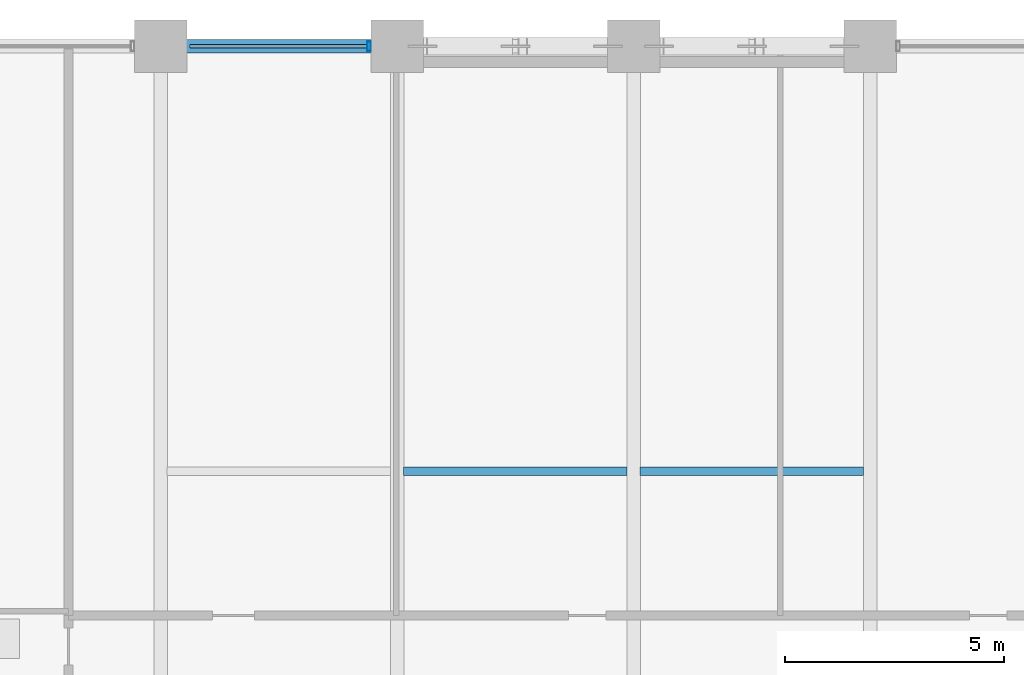
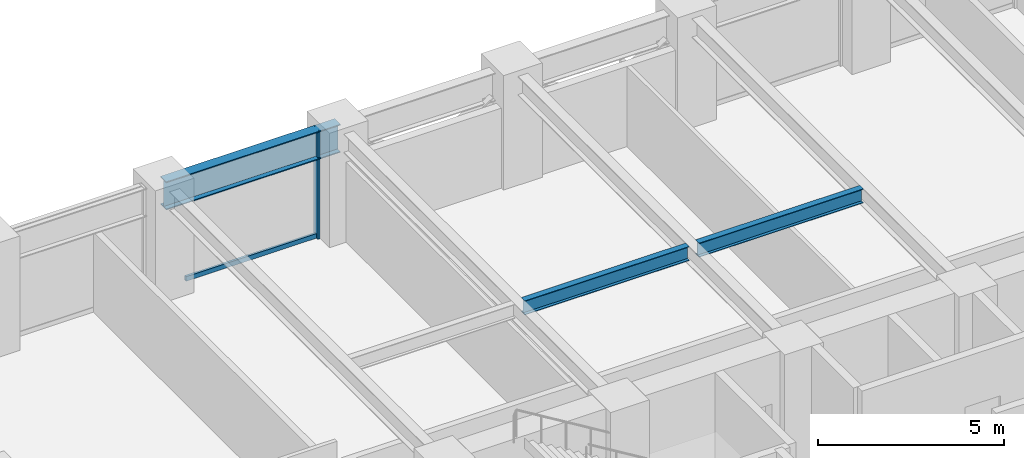
# One storey, part 13 of 28: 3 beams, 2 members, 1 element without a shape of its own.
"""IFC4 building model written with IfcOpenShell, lengths in metres."""

from ifc_helpers import new_model, si_unit, direction, frame, origin, origin_2d, place, context, subcontext, project, spatial, hollow_rectangle, i_section, extrude, material, layer, layer_set, material_profile, profile_set, type_object, element, aggregate, save


model = new_model("IFC4")

# Units and contexts
model_context = context("Model", 3, precision=1e-05, world=origin(), true_north=direction((0.0, 1.0)))
body_context = subcontext(model_context, "Body", "Model", "MODEL_VIEW")
ifc_project = project(units=[si_unit("LENGTHUNIT", "METRE"), si_unit("AREAUNIT", "SQUARE_METRE"), si_unit("VOLUMEUNIT", "CUBIC_METRE"), si_unit("PLANEANGLEUNIT", "RADIAN"), si_unit("MASSUNIT", "GRAM", prefix="KILO")], contexts=[model_context])

# Site, building, storey
site_placement = place(None, origin())
site = spatial("IfcSite", under=ifc_project, at=site_placement, CompositionType="ELEMENT")
building_placement = place(site_placement, origin())
building = spatial("IfcBuilding", under=site, at=building_placement, Name="Surkhivell Harbour Commons", CompositionType="ELEMENT")
storey_placement = place(building_placement, frame((0.0, 0.0, 67.5)))
storey = spatial("IfcBuildingStorey", under=building, at=storey_placement, Name="L17", CompositionType="ELEMENT", Elevation=67.5)

# Beams
ifc_material_1 = material(Name="Steel S355", Category="steel")
ifc_material_profile_1 = material_profile(ifc_material_1, i_section(OverallWidth=0.19189453125, OverallDepth=0.462890625, WebThickness=0.010498046875, FlangeThickness=0.017578125, at=origin_2d()), Name="UB457x191x89")
ifc_profile_set_1 = profile_set([ifc_material_profile_1], Name="Steel S355")
beam_type_1 = type_object("IfcBeamType", Name="BM-JST-457A", PredefinedType="JOIST", material=ifc_profile_set_1)
for number, where, z_axis, x_axis, name in (
    (1, (-5.24853515625, 16.199951171875, 3.33837890625), (1.0, 0.0, 0.0), (0.0, 1.0, 0.0), "L17 North Composite Joist (-5.4)"),
    (2, (0.151611328125, 16.199951171875, 3.33837890625), (1.0, 0.0, 0.0), (0.0, 1.0, 0.0), "L17 North Composite Joist (0.0)"),
):
    element("IfcBeam", number, at=place(storey_placement, frame(where, z_axis=z_axis, x_axis=x_axis)), inside=storey, type_object=beam_type_1, Name=name, PredefinedType="JOIST", context=body_context, shape_type="SweptSolid", body=[
        extrude(i_section(OverallWidth=0.19189453125, OverallDepth=0.462890625, WebThickness=0.010498046875, FlangeThickness=0.017578125, at=origin_2d()), origin(), (0.0, 0.0, 1.0), 5.096923828125),
    ])
ifc_material_2 = material(Name="Steel S460", Category="steel")
ifc_material_profile_2 = material_profile(ifc_material_2, i_section(OverallWidth=0.30810546875, OverallDepth=0.927001953125, WebThickness=0.01953125, FlangeThickness=0.031982421875, at=origin_2d()), Name="UB914x305x289")
ifc_profile_set_2 = profile_set([ifc_material_profile_2], Name="Steel S460")
beam_type_2 = type_object("IfcBeamType", Name="BM-SPN-914B", PredefinedType="SPANDREL", material=ifc_profile_set_2)
beam_placement = place(storey_placement, frame((-10.800048828125, 25.89990234375, 3.1064453125), z_axis=(1.0, 0.0, 0.0), x_axis=(0.0, 1.0, 0.0)))
element("IfcBeam", 3, at=beam_placement, inside=storey, type_object=beam_type_2, Name="L17 Tube Spandrel (-10.8,25.9)", PredefinedType="SPANDREL", context=body_context, shape_type="SweptSolid", body=[
    extrude(i_section(OverallWidth=0.30810546875, OverallDepth=0.927001953125, WebThickness=0.01953125, FlangeThickness=0.031982421875, at=origin_2d()), origin(), (0.0, 0.0, 1.0), 5.400146484375),
])

# Curtain wall, members
ifc_material_3 = material(Name="Anodised pale-metal aluminium and insulated glazing", Category="aluminium")
ifc_layer = layer(ifc_material_3, 0.219970703125)
ifc_layer_set = layer_set([ifc_layer], Name="Anodised pale-metal aluminium and insulated glazing")
curtain_wall_type = type_object("IfcCurtainWallType", Name="CW-SYS-Z1", PredefinedType="NOTDEFINED", material=ifc_layer_set)
curtain_wall_placement = place(storey_placement, origin())
curtain_wall = element("IfcCurtainWall", 4, at=curtain_wall_placement, inside=storey, type_object=curtain_wall_type, Name="L17 Curtain Wall CW-L17-E07S2", PredefinedType="NOTDEFINED")
ifc_material_4 = material(Name="Anodised pale-metal aluminium alloy 6063-T6", Category="aluminium")
ifc_material_profile_3 = material_profile(ifc_material_4, hollow_rectangle(XDim=0.074951171875, YDim=0.219970703125, WallThickness=0.00390625, at=origin_2d()), Name="ALU-MULL-75x220")
ifc_profile_set_3 = profile_set([ifc_material_profile_3], Name="Anodised pale-metal aluminium alloy 6063-T6")
member_type_1 = type_object("IfcMemberType", Name="CWM-220", PredefinedType="MULLION", material=ifc_profile_set_3)
member_1_placement = place(storey_placement, frame((-6.03955078125, 25.89990234375, 0.0), z_axis=(0.0, 0.0, 1.0), x_axis=(-1.0, 0.0, 0.0)))
member_1 = element("IfcMember", 5, at=member_1_placement, type_object=member_type_1, Name="CW-Z1 mullion 1", PredefinedType="MULLION", context=body_context, shape_type="SweptSolid", body=[
    extrude(hollow_rectangle(XDim=0.074951171875, YDim=0.219970703125, WallThickness=0.00390625, at=origin_2d()), origin(), (0.0, 0.0, 1.0), 3.570068359375),
])
ifc_material_profile_4 = material_profile(ifc_material_4, hollow_rectangle(XDim=0.074951171875, YDim=0.14990234375, WallThickness=0.00341796875, at=origin_2d()), Name="ALU-TRAN-75x150")
ifc_profile_set_4 = profile_set([ifc_material_profile_4], Name="Anodised pale-metal aluminium alloy 6063-T6")
member_type_2 = type_object("IfcMemberType", Name="CWT-150", PredefinedType="USERDEFINED", material=ifc_profile_set_4)
member_2_placement = place(storey_placement, frame((-6.076904296875, 25.89990234375, 0.074951171875), z_axis=(-1.0, 0.0, 0.0), x_axis=(0.0, -1.0, 0.0)))
member_2 = element("IfcMember", 6, at=member_2_placement, type_object=member_type_2, Name="CW-Z1 transom 1.1", ObjectType="TRANSOM", PredefinedType="USERDEFINED", context=body_context, shape_type="SweptSolid", body=[
    extrude(hollow_rectangle(XDim=0.074951171875, YDim=0.14990234375, WallThickness=0.00341796875, at=origin_2d()), origin(), (0.0, 0.0, 1.0), 4.046142578125),
])
aggregate(curtain_wall, [member_1, member_2])

save(model, "model.ifc")
